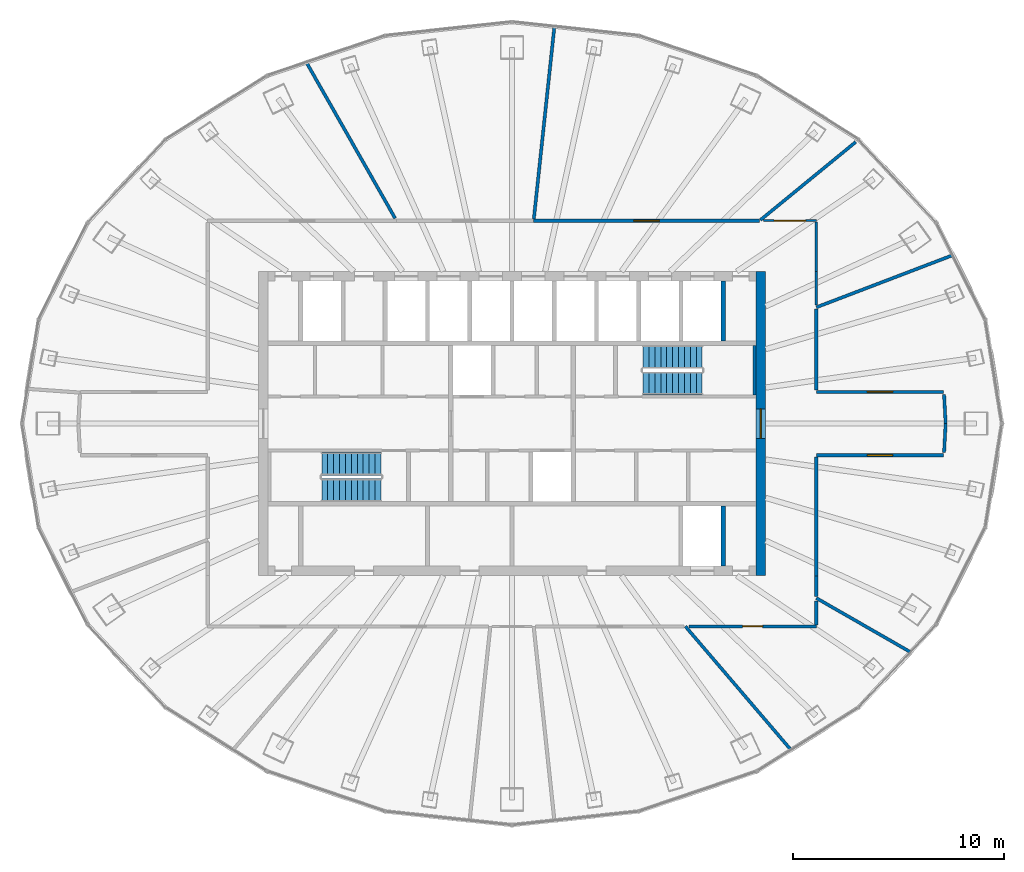
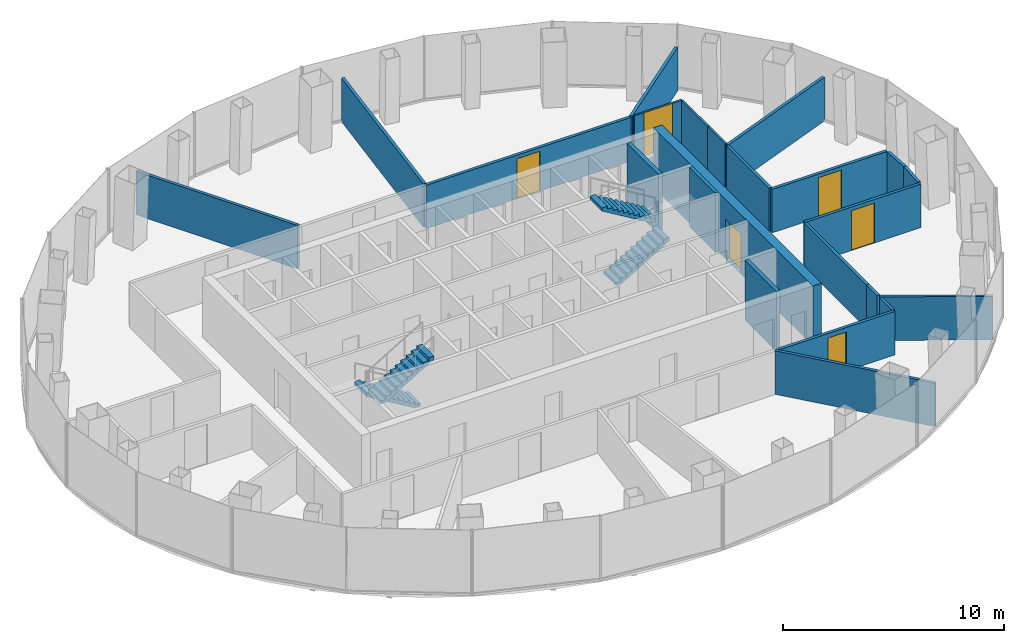
# One storey, part 10 of 11: 23 walls, 6 doors, 4 stair flights, 6 openings, 2 elements without a shape of their own.
"""IFC4 building model written with IfcOpenShell, lengths in metres."""

from ifc_helpers import new_model, si_unit, direction, frame, frame_2d, origin, place, context, subcontext, project, spatial, polyline, rectangle, outline, extrude, material, layer, layer_set, type_object, element, fill, aggregate, save


model = new_model("IFC4")

# Units and contexts
model_context = context("Model", 3, precision=1e-05, world=origin(), true_north=direction((0.0, 1.0)))
body_context = subcontext(model_context, "Body", "Model", "MODEL_VIEW")
ifc_project = project(units=[si_unit("LENGTHUNIT", "METRE"), si_unit("AREAUNIT", "SQUARE_METRE"), si_unit("VOLUMEUNIT", "CUBIC_METRE"), si_unit("PLANEANGLEUNIT", "RADIAN"), si_unit("MASSUNIT", "GRAM", prefix="KILO")], contexts=[model_context])

# Site, building, storey
site_placement = place(None, origin())
site = spatial("IfcSite", under=ifc_project, at=site_placement, CompositionType="ELEMENT")
building_placement = place(site_placement, origin())
building = spatial("IfcBuilding", under=site, at=building_placement, Name="Siaravel Broadcast Tower", CompositionType="ELEMENT")
storey_placement = place(building_placement, frame((0.0, 0.0, 186.699951171875)))
storey = spatial("IfcBuildingStorey", under=building, at=storey_placement, Name="L45", CompositionType="ELEMENT", Elevation=186.699951171875)

# Wall, opening, door
ifc_material_1 = material(Name="Concrete C60/75", Category="concrete")
ifc_layer_1 = layer(ifc_material_1, 0.449951171875)
ifc_layer_set_1 = layer_set([ifc_layer_1], Name="Concrete C60/75")
wall_type_1 = type_object("IfcWallType", Name="Core wall 450", PredefinedType="SHEAR", material=ifc_layer_set_1)
wall_1_placement = place(storey_placement, frame((11.77490234375, -7.199951171875, 0.0), z_axis=(0.0, 0.0, 1.0), x_axis=(0.0, 1.0, 0.0)))
wall_1 = element("IfcWall", 1, at=wall_1_placement, inside=storey, type_object=wall_type_1, Name="L45 core wall OE", PredefinedType="SHEAR", context=body_context, shape_type="SweptSolid", body=[
    extrude(rectangle(XDim=14.39990234375, YDim=0.449951171875, at=frame_2d((7.199951171875, 0.0))), origin(), (0.0, 0.0, 1.0), 3.300048828125),
])
opening_1_placement = place(wall_1_placement, frame((6.5, 0.0, 0.0)))
opening_1 = element("IfcOpeningElement", 2, at=opening_1_placement, cuts=wall_1, Name="Opening L45-DX-E", PredefinedType="OPENING", context=body_context, shape_type="SweptSolid", body=[
    extrude(rectangle(XDim=1.39990234375, YDim=2.199951171875, at=frame_2d((0.699951171875, 1.10009765625))), frame((0.0, 0.23486328125, 0.0), z_axis=(0.0, -1.0, 0.0), x_axis=(1.0, 0.0, 0.0)), (0.0, 0.0, 1.0), 0.469970703125),
])
ifc_material_2 = material(Name="Steel", Category="steel")
door_type_1 = type_object("IfcDoorType", Name="Core exit door 1400", OperationType="DOUBLE_DOOR_SINGLE_SWING", PredefinedType="DOOR", material=ifc_material_2)
door_1_placement = place(opening_1_placement, origin())
door_1 = element("IfcDoor", 3, at=door_1_placement, inside=storey, type_object=door_type_1, Name="L45 door DX-E", OperationType="DOUBLE_DOOR_SINGLE_SWING", OverallHeight=2.199951171875, OverallWidth=1.39990234375, PredefinedType="DOOR", context=body_context, shape_type="SweptSolid", body=[
    extrude(rectangle(XDim=1.39990234375, YDim=2.199951171875, at=frame_2d((0.699951171875, 1.10009765625))), frame((0.0, 0.02490234375, 0.0), z_axis=(0.0, -1.0, 0.0), x_axis=(1.0, 0.0, 0.0)), (0.0, 0.0, 1.0), 0.050048828125),
])
fill(opening_1, door_1)

ifc_material_3 = material(Name="Gypsum board partition", Category="gypsum")
ifc_layer_2 = layer(ifc_material_3, 0.14990234375)
ifc_layer_set_2 = layer_set([ifc_layer_2], Name="Gypsum board partition")
wall_type_2 = type_object("IfcWallType", Name="Corridor wall 150", PredefinedType="PARTITIONING", material=ifc_layer_set_2)
wall_2_placement = place(storey_placement, frame((11.719970703125, 9.60009765625, 0.0), z_axis=(0.0, 0.0, 1.0), x_axis=(-1.0, 0.0, 0.0)))
wall_2 = element("IfcWall", 4, at=wall_2_placement, inside=storey, type_object=wall_type_2, Name="L45 partition 1", PredefinedType="PARTITIONING", context=body_context, shape_type="SweptSolid", body=[
    extrude(rectangle(XDim=10.694580078125, YDim=0.14990234375, at=frame_2d((5.34716796875, 0.0))), origin(), (0.0, 0.0, 1.0), 2.400146484375),
])
opening_2_placement = place(wall_2_placement, frame((4.747314453125, 0.0, 0.0)))
opening_2 = element("IfcOpeningElement", 5, at=opening_2_placement, cuts=wall_2, Name="Opening L45-006", PredefinedType="OPENING", context=body_context, shape_type="SweptSolid", body=[
    extrude(rectangle(XDim=1.199951171875, YDim=2.199951171875, at=frame_2d((0.60009765625, 1.10009765625))), frame((0.0, 0.0849609375, 0.0), z_axis=(0.0, -1.0, 0.0), x_axis=(1.0, 0.0, 0.0)), (0.0, 0.0, 1.0), 0.169921875),
])
ifc_material_4 = material(Name="Timber veneer", Category="wood")
door_type_2 = type_object("IfcDoorType", Name="Office double door 1200", OperationType="DOUBLE_DOOR_SINGLE_SWING", PredefinedType="DOOR", material=ifc_material_4)
door_2_placement = place(opening_2_placement, origin())
door_2 = element("IfcDoor", 6, at=door_2_placement, inside=storey, type_object=door_type_2, Name="L45 door to Open plan office", OperationType="DOUBLE_DOOR_SINGLE_SWING", OverallHeight=2.199951171875, OverallWidth=1.199951171875, PredefinedType="DOOR", context=body_context, shape_type="SweptSolid", body=[
    extrude(rectangle(XDim=1.199951171875, YDim=2.199951171875, at=frame_2d((0.60009765625, 1.10009765625))), frame((0.0, 0.02490234375, 0.0), z_axis=(0.0, -1.0, 0.0), x_axis=(1.0, 0.0, 0.0)), (0.0, 0.0, 1.0), 0.050048828125),
])
fill(opening_2, door_2)

wall_3_placement = place(storey_placement, frame((8.37109375, -9.60009765625, 0.0), z_axis=(0.0, 0.0, 1.0), x_axis=(1.0, 0.0, 0.0)))
wall_3 = element("IfcWall", 7, at=wall_3_placement, inside=storey, type_object=wall_type_2, Name="L45 partition 14", PredefinedType="PARTITIONING", context=body_context, shape_type="SweptSolid", body=[
    extrude(rectangle(XDim=6.02880859375, YDim=0.14990234375, at=frame_2d((3.014404296875, 0.0))), origin(), (0.0, 0.0, 1.0), 2.400146484375),
])
opening_3_placement = place(wall_3_placement, frame((2.539306640625, 0.0, 0.0)))
opening_3 = element("IfcOpeningElement", 8, at=opening_3_placement, cuts=wall_3, Name="Opening L45-002", PredefinedType="OPENING", context=body_context, shape_type="SweptSolid", body=[
    extrude(rectangle(XDim=0.949951171875, YDim=2.14990234375, at=frame_2d((0.47509765625, 1.074951171875))), frame((0.0, 0.0849609375, 0.0), z_axis=(0.0, -1.0, 0.0), x_axis=(1.0, 0.0, 0.0)), (0.0, 0.0, 1.0), 0.169921875),
])
door_type_3 = type_object("IfcDoorType", Name="Office door 950", OperationType="SINGLE_SWING_LEFT", PredefinedType="DOOR", material=ifc_material_4)
door_3_placement = place(opening_3_placement, origin())
door_3 = element("IfcDoor", 9, at=door_3_placement, inside=storey, type_object=door_type_3, Name="L45 door to Office", OperationType="SINGLE_SWING_RIGHT", OverallHeight=2.14990234375, OverallWidth=0.949951171875, PredefinedType="DOOR", context=body_context, shape_type="SweptSolid", body=[
    extrude(rectangle(XDim=0.949951171875, YDim=2.14990234375, at=frame_2d((0.47509765625, 1.074951171875))), frame((0.0, 0.02490234375, 0.0), z_axis=(0.0, -1.0, 0.0), x_axis=(1.0, 0.0, 0.0)), (0.0, 0.0, 1.0), 0.050048828125),
])
fill(opening_3, door_3)

wall_4_placement = place(storey_placement, frame((14.39990234375, -1.5, 0.0), z_axis=(0.0, 0.0, 1.0), x_axis=(1.0, 0.0, 0.0)))
wall_4 = element("IfcWall", 10, at=wall_4_placement, inside=storey, type_object=wall_type_2, Name="L45 partition 17", PredefinedType="PARTITIONING", context=body_context, shape_type="SweptSolid", body=[
    extrude(rectangle(XDim=6.027587890625, YDim=0.14990234375, at=frame_2d((3.013671875, 0.0))), origin(), (0.0, 0.0, 1.0), 2.400146484375),
])
opening_4_placement = place(wall_4_placement, frame((2.413818359375, 0.0, 0.0)))
opening_4 = element("IfcOpeningElement", 11, at=opening_4_placement, cuts=wall_4, Name="Opening L45-003", PredefinedType="OPENING", context=body_context, shape_type="SweptSolid", body=[
    extrude(rectangle(XDim=1.199951171875, YDim=2.199951171875, at=frame_2d((0.60009765625, 1.10009765625))), frame((0.0, 0.0849609375, 0.0), z_axis=(0.0, -1.0, 0.0), x_axis=(1.0, 0.0, 0.0)), (0.0, 0.0, 1.0), 0.169921875),
])
door_4_placement = place(opening_4_placement, origin())
door_4 = element("IfcDoor", 12, at=door_4_placement, inside=storey, type_object=door_type_2, Name="L45 door to Open plan office", OperationType="DOUBLE_DOOR_SINGLE_SWING", OverallHeight=2.199951171875, OverallWidth=1.199951171875, PredefinedType="DOOR", context=body_context, shape_type="SweptSolid", body=[
    extrude(rectangle(XDim=1.199951171875, YDim=2.199951171875, at=frame_2d((0.60009765625, 1.10009765625))), frame((0.0, 0.02490234375, 0.0), z_axis=(0.0, -1.0, 0.0), x_axis=(1.0, 0.0, 0.0)), (0.0, 0.0, 1.0), 0.050048828125),
])
fill(opening_4, door_4)

wall_5_placement = place(storey_placement, frame((20.427490234375, 1.5, 0.0), z_axis=(0.0, 0.0, 1.0), x_axis=(-1.0, 0.0, 0.0)))
wall_5 = element("IfcWall", 13, at=wall_5_placement, inside=storey, type_object=wall_type_2, Name="L45 partition 18", PredefinedType="PARTITIONING", context=body_context, shape_type="SweptSolid", body=[
    extrude(rectangle(XDim=6.027587890625, YDim=0.14990234375, at=frame_2d((3.013671875, 0.0))), origin(), (0.0, 0.0, 1.0), 2.400146484375),
])
opening_5_placement = place(wall_5_placement, frame((2.413818359375, 0.0, 0.0)))
opening_5 = element("IfcOpeningElement", 14, at=opening_5_placement, cuts=wall_5, Name="Opening L45-004", PredefinedType="OPENING", context=body_context, shape_type="SweptSolid", body=[
    extrude(rectangle(XDim=1.199951171875, YDim=2.199951171875, at=frame_2d((0.60009765625, 1.10009765625))), frame((0.0, 0.0849609375, 0.0), z_axis=(0.0, -1.0, 0.0), x_axis=(1.0, 0.0, 0.0)), (0.0, 0.0, 1.0), 0.169921875),
])
door_5_placement = place(opening_5_placement, origin())
door_5 = element("IfcDoor", 15, at=door_5_placement, inside=storey, type_object=door_type_2, Name="L45 door to Open plan office", OperationType="DOUBLE_DOOR_SINGLE_SWING", OverallHeight=2.199951171875, OverallWidth=1.199951171875, PredefinedType="DOOR", context=body_context, shape_type="SweptSolid", body=[
    extrude(rectangle(XDim=1.199951171875, YDim=2.199951171875, at=frame_2d((0.60009765625, 1.10009765625))), frame((0.0, 0.02490234375, 0.0), z_axis=(0.0, -1.0, 0.0), x_axis=(1.0, 0.0, 0.0)), (0.0, 0.0, 1.0), 0.050048828125),
])
fill(opening_5, door_5)

# Walls
wall_6_placement = place(storey_placement, frame((14.39990234375, -7.2119140625, 0.0), z_axis=(0.0, 0.0, 1.0), x_axis=(0.0, 1.0, 0.0)))
element("IfcWall", 16, at=wall_6_placement, inside=storey, type_object=wall_type_2, Name="L45 partition 21", PredefinedType="PARTITIONING", context=body_context, shape_type="SweptSolid", body=[
    extrude(rectangle(XDim=5.635009765625, YDim=0.14990234375, at=frame_2d((2.8173828125, 0.0))), origin(), (0.0, 0.0, 1.0), 2.400146484375),
])
wall_7_placement = place(storey_placement, frame((14.39990234375, 1.576904296875, 0.0), z_axis=(0.0, 0.0, 1.0), x_axis=(0.0, 1.0, 0.0)))
element("IfcWall", 17, at=wall_7_placement, inside=storey, type_object=wall_type_2, Name="L45 partition 25", PredefinedType="PARTITIONING", context=body_context, shape_type="SweptSolid", body=[
    extrude(rectangle(XDim=3.851318359375, YDim=0.14990234375, at=frame_2d((1.92578125, 0.0))), origin(), (0.0, 0.0, 1.0), 2.400146484375),
])
wall_8_placement = place(storey_placement, frame((20.44775390625, -1.373779296875, 0.0), z_axis=(0.0, 0.0, 1.0), x_axis=(0.053238767, 0.998581811, 0.0)))
element("IfcWall", 18, at=wall_8_placement, inside=storey, type_object=wall_type_2, Name="L45 partition 36", PredefinedType="PARTITIONING", context=body_context, shape_type="SweptSolid", body=[
    extrude(rectangle(XDim=1.375732421875, YDim=0.14990234375, at=frame_2d((0.68798828125, 0.0))), origin(), (0.0, 0.0, 1.0), 2.400146484375),
])
wall_9_placement = place(storey_placement, frame((20.5205078125, 0.010009765625, 0.0), z_axis=(0.0, 0.0, 1.0), x_axis=(-0.053271904, 0.998580044, 0.0)))
element("IfcWall", 19, at=wall_9_placement, inside=storey, type_object=wall_type_2, Name="L45 partition 37", PredefinedType="PARTITIONING", context=body_context, shape_type="SweptSolid", body=[
    extrude(rectangle(XDim=1.36572265625, YDim=0.14990234375, at=frame_2d((0.682861328125, 0.0))), origin(), (0.0, 0.0, 1.0), 2.400146484375),
])
wall_10_placement = place(storey_placement, frame((14.39990234375, -9.52294921875, 0.0), z_axis=(0.0, 0.0, 1.0), x_axis=(0.0, 1.0, 0.0)))
element("IfcWall", 20, at=wall_10_placement, inside=storey, type_object=wall_type_2, Name="L45 partition 39", PredefinedType="PARTITIONING", context=body_context, shape_type="SweptSolid", body=[
    extrude(rectangle(XDim=1.132568359375, YDim=0.14990234375, at=frame_2d((0.56640625, 0.0))), origin(), (0.0, 0.0, 1.0), 2.400146484375),
])
wall_11_placement = place(storey_placement, frame((14.39990234375, -8.19189453125, 0.0), z_axis=(0.0, 0.0, 1.0), x_axis=(0.0, 1.0, 0.0)))
element("IfcWall", 21, at=wall_11_placement, inside=storey, type_object=wall_type_2, Name="L45 partition 40", PredefinedType="PARTITIONING", context=body_context, shape_type="SweptSolid", body=[
    extrude(rectangle(XDim=0.97900390625, YDim=0.14990234375, at=frame_2d((0.489501953125, 0.0))), origin(), (0.0, 0.0, 1.0), 2.400146484375),
])

# Wall, opening, door
ifc_material_5 = material(Name="Glazed aluminium partition", Category="aluminium")
ifc_layer_3 = layer(ifc_material_5, 0.10009765625)
ifc_layer_set_3 = layer_set([ifc_layer_3], Name="Glazed aluminium partition")
wall_type_3 = type_object("IfcWallType", Name="Glazed meeting room partition 100", PredefinedType="PARTITIONING", material=ifc_layer_set_3)
wall_12_placement = place(storey_placement, frame((14.39990234375, 9.60009765625, 0.0), z_axis=(0.0, 0.0, 1.0), x_axis=(-1.0, 0.0, 0.0)))
wall_12 = element("IfcWall", 22, at=wall_12_placement, inside=storey, type_object=wall_type_3, Name="L45 partition 26", PredefinedType="PARTITIONING", context=body_context, shape_type="SweptSolid", body=[
    extrude(rectangle(XDim=2.49853515625, YDim=0.10009765625, at=frame_2d((1.249267578125, 0.0))), origin(), (0.0, 0.0, 1.0), 2.400146484375),
])
opening_6_placement = place(wall_12_placement, frame((0.499267578125, 0.0, 0.0)))
opening_6 = element("IfcOpeningElement", 23, at=opening_6_placement, cuts=wall_12, Name="Opening L45-005", PredefinedType="OPENING", context=body_context, shape_type="SweptSolid", body=[
    extrude(rectangle(XDim=1.5, YDim=2.39990234375, at=frame_2d((0.75, 1.199951171875))), frame((0.0, 0.06005859375, 0.0), z_axis=(0.0, -1.0, 0.0), x_axis=(1.0, 0.0, 0.0)), (0.0, 0.0, 1.0), 0.1201171875),
])
door_type_4 = type_object("IfcDoorType", Name="Conference double door 1500", OperationType="DOUBLE_DOOR_SINGLE_SWING", PredefinedType="DOOR", material=ifc_material_4)
door_6_placement = place(opening_6_placement, origin())
door_6 = element("IfcDoor", 24, at=door_6_placement, inside=storey, type_object=door_type_4, Name="L45 door to Boardroom", OperationType="DOUBLE_DOOR_SINGLE_SWING", OverallHeight=2.39990234375, OverallWidth=1.5, PredefinedType="DOOR", context=body_context, shape_type="SweptSolid", body=[
    extrude(rectangle(XDim=1.5, YDim=2.39990234375, at=frame_2d((0.75, 1.199951171875))), frame((0.0, 0.02490234375, 0.0), z_axis=(0.0, -1.0, 0.0), x_axis=(1.0, 0.0, 0.0)), (0.0, 0.0, 1.0), 0.050048828125),
])
fill(opening_6, door_6)

# Walls
wall_13_placement = place(storey_placement, frame((14.39990234375, 7.18798828125, 0.0), z_axis=(0.0, 0.0, 1.0), x_axis=(0.0, 1.0, 0.0)))
element("IfcWall", 25, at=wall_13_placement, inside=storey, type_object=wall_type_3, Name="L45 partition 30", PredefinedType="PARTITIONING", context=body_context, shape_type="SweptSolid", body=[
    extrude(rectangle(XDim=2.360107421875, YDim=0.10009765625, at=frame_2d((1.18017578125, 0.0))), origin(), (0.0, 0.0, 1.0), 2.400146484375),
])
wall_14_placement = place(storey_placement, frame((14.39990234375, 5.6015625, 0.0), z_axis=(0.0, 0.0, 1.0), x_axis=(0.0, 1.0, 0.0)))
element("IfcWall", 26, at=wall_14_placement, inside=storey, type_object=wall_type_3, Name="L45 partition 34", PredefinedType="PARTITIONING", context=body_context, shape_type="SweptSolid", body=[
    extrude(rectangle(XDim=1.58544921875, YDim=0.10009765625, at=frame_2d((0.792724609375, 0.0))), origin(), (0.0, 0.0, 1.0), 2.400146484375),
])
ifc_layer_4 = layer(ifc_material_3, 0.14990234375)
ifc_layer_set_4 = layer_set([ifc_layer_4], Name="Gypsum board partition")
wall_type_4 = type_object("IfcWallType", Name="Room partition 150", PredefinedType="PARTITIONING", material=ifc_layer_set_4)
wall_15_placement = place(storey_placement, frame((2.00439453125, 18.76611328125, 0.0), z_axis=(0.0, 0.0, 1.0), x_axis=(-0.106208417, -0.99434389, 0.0)))
element("IfcWall", 27, at=wall_15_placement, inside=storey, type_object=wall_type_4, Name="L45 partition 4", PredefinedType="PARTITIONING", context=body_context, shape_type="SweptSolid", body=[
    extrude(rectangle(XDim=9.1328125, YDim=0.14990234375, at=frame_2d((4.56640625, 0.0))), origin(), (0.0, 0.0, 1.0), 2.400146484375),
])
wall_16_placement = place(storey_placement, frame((-9.7216796875, 17.076904296875, 0.0), z_axis=(0.0, 0.0, 1.0), x_axis=(0.494732537, -0.86904529, 0.0)))
element("IfcWall", 28, at=wall_16_placement, inside=storey, type_object=wall_type_4, Name="L45 partition 6", PredefinedType="PARTITIONING", context=body_context, shape_type="SweptSolid", body=[
    extrude(rectangle(XDim=8.47265625, YDim=0.14990234375, at=frame_2d((4.236328125, 0.0))), origin(), (0.0, 0.0, 1.0), 2.400146484375),
])
wall_17_placement = place(storey_placement, frame((13.195068359375, -15.435791015625, 0.0), z_axis=(0.0, 0.0, 1.0), x_axis=(-0.64979567, 0.760108931, 0.0)))
element("IfcWall", 29, at=wall_17_placement, inside=storey, type_object=wall_type_4, Name="L45 partition 7", PredefinedType="PARTITIONING", context=body_context, shape_type="SweptSolid", body=[
    extrude(rectangle(XDim=7.677490234375, YDim=0.14990234375, at=frame_2d((3.8388671875, 0.0))), origin(), (0.0, 0.0, 1.0), 2.400146484375),
])
wall_18_placement = place(storey_placement, frame((20.86181640625, 7.968505859375, 0.0), z_axis=(0.0, 0.0, 1.0), x_axis=(-0.934170905, -0.356825897, 0.0)))
element("IfcWall", 30, at=wall_18_placement, inside=storey, type_object=wall_type_4, Name="L45 partition 11", PredefinedType="PARTITIONING", context=body_context, shape_type="SweptSolid", body=[
    extrude(rectangle(XDim=6.917236328125, YDim=0.14990234375, at=frame_2d((3.45849609375, 0.0))), origin(), (0.0, 0.0, 1.0), 2.400146484375),
])
wall_19_placement = place(storey_placement, frame((16.27001953125, 13.3271484375, 0.0), z_axis=(0.0, 0.0, 1.0), x_axis=(-0.773587881, -0.633689033, 0.0)))
element("IfcWall", 31, at=wall_19_placement, inside=storey, type_object=wall_type_4, Name="L45 partition 19", PredefinedType="PARTITIONING", context=body_context, shape_type="SweptSolid", body=[
    extrude(rectangle(XDim=5.832275390625, YDim=0.14990234375, at=frame_2d((2.916015625, 0.0))), origin(), (0.0, 0.0, 1.0), 2.400146484375),
])
wall_20_placement = place(storey_placement, frame((18.853759765625, -10.8134765625, 0.0), z_axis=(0.0, 0.0, 1.0), x_axis=(-0.867454914, 0.497515801, 0.0)))
element("IfcWall", 32, at=wall_20_placement, inside=storey, type_object=wall_type_4, Name="L45 partition 23", PredefinedType="PARTITIONING", context=body_context, shape_type="SweptSolid", body=[
    extrude(rectangle(XDim=5.13427734375, YDim=0.14990234375, at=frame_2d((2.567138671875, 0.0))), origin(), (0.0, 0.0, 1.0), 2.400146484375),
])
ifc_layer_5 = layer(ifc_material_1, 0.14990234375)
ifc_layer_set_5 = layer_set([ifc_layer_5], Name="Concrete C60/75")
wall_type_5 = type_object("IfcWallType", Name="Shaft wall 150", PredefinedType="SHEAR", material=ifc_layer_set_5)
wall_21_placement = place(storey_placement, frame((11.47509765625, 1.35009765625, 0.0), z_axis=(0.0, 0.0, 1.0), x_axis=(0.0, 1.0, 0.0)))
element("IfcWall", 33, at=wall_21_placement, inside=storey, type_object=wall_type_5, Name="L45 core wall ST2E", PredefinedType="SHEAR", context=body_context, shape_type="SweptSolid", body=[
    extrude(rectangle(XDim=2.349853515625, YDim=0.14990234375, at=frame_2d((1.1748046875, 0.0))), origin(), (0.0, 0.0, 1.0), 3.300048828125),
])
ifc_layer_6 = layer(ifc_material_1, 0.199951171875)
ifc_layer_set_6 = layer_set([ifc_layer_6], Name="Concrete C60/75")
wall_type_6 = type_object("IfcWallType", Name="Shaft wall 200", PredefinedType="SHEAR", material=ifc_layer_set_6)
for number, where, z_axis, x_axis, name in (
    (34, (10.0, -6.75, 0.0), (0.0, 0.0, 1.0), (0.0, 1.0, 0.0), "L45 core wall SWS10"),
    (35, (10.0, 3.89990234375, 0.0), (0.0, 0.0, 1.0), (0.0, 1.0, 0.0), "L45 core wall SWN10"),
):
    element("IfcWall", number, at=place(storey_placement, frame(where, z_axis=z_axis, x_axis=x_axis)), inside=storey, type_object=wall_type_6, Name=name, PredefinedType="SHEAR", context=body_context, shape_type="SweptSolid", body=[
        extrude(rectangle(XDim=2.85009765625, YDim=0.199951171875, at=frame_2d((1.425048828125, 0.0))), origin(), (0.0, 0.0, 1.0), 3.300048828125),
    ])

# Stair, stair flights
ifc_material_6 = material(Name="Concrete C40/50", Category="concrete")
stair_type = type_object("IfcStairType", Name="Core exit stair", PredefinedType="HALF_TURN_STAIR", material=ifc_material_6)
stair_1_placement = place(storey_placement, origin())
stair_1 = element("IfcStair", 36, at=stair_1_placement, inside=storey, type_object=stair_type, Name="L45 Exit stair ST-1", PredefinedType="HALF_TURN_STAIR")
stair_flight_type = type_object("IfcStairFlightType", Name="Stair flight 1100", PredefinedType="STRAIGHT", material=ifc_material_6)
stair_flight_1_placement = place(storey_placement, frame((-6.199951171875, -1.89990234375, 0.0), z_axis=(0.0, 0.0, 1.0), x_axis=(-1.0, 0.0, 0.0)))
stair_flight_1 = element("IfcStairFlight", 37, at=stair_flight_1_placement, type_object=stair_flight_type, Name="ST-1 flight 1", NumberOfRisers=11, NumberOfTreads=10, PredefinedType="STRAIGHT", RiserHeight=0.1681818, TreadLength=0.28, context=body_context, shape_type="SweptSolid", body=[
    extrude(outline(polyline([(0.0, 0.0), (0.0, 0.168212890625), (0.280029296875, 0.168212890625), (0.280029296875, 0.33642578125), (0.56005859375, 0.33642578125), (0.56005859375, 0.504638671875), (0.840087890625, 0.504638671875), (0.840087890625, 0.672607421875), (1.1201171875, 0.672607421875), (1.1201171875, 0.8408203125), (1.39990234375, 0.8408203125), (1.39990234375, 1.009033203125), (1.679931640625, 1.009033203125), (1.679931640625, 1.17724609375), (1.9599609375, 1.17724609375), (1.9599609375, 1.345458984375), (2.239990234375, 1.345458984375), (2.239990234375, 1.513671875), (2.52001953125, 1.513671875), (2.52001953125, 1.681884765625), (2.800048828125, 1.681884765625), (2.800048828125, 1.85009765625), (2.800048828125, 1.5068359375), (0.291015625, 0.0), (0.0, 0.0)])), frame((0.0, 0.550048828125, 0.0), z_axis=(0.0, -1.0, 0.0), x_axis=(1.0, 0.0, 0.0)), (0.0, 0.0, 1.0), 1.10009765625),
])
stair_flight_2_placement = place(storey_placement, frame((-9.0, -3.14990234375, 1.85009765625), z_axis=(0.0, 0.0, 1.0), x_axis=(1.0, 0.0, 0.0)))
stair_flight_2 = element("IfcStairFlight", 38, at=stair_flight_2_placement, type_object=stair_flight_type, Name="ST-1 flight 2", NumberOfRisers=11, NumberOfTreads=10, PredefinedType="STRAIGHT", RiserHeight=0.1681818, TreadLength=0.28, context=body_context, shape_type="SweptSolid", body=[
    extrude(outline(polyline([(0.0, 0.0), (0.0, 0.168212890625), (0.280029296875, 0.168212890625), (0.280029296875, 0.33642578125), (0.56005859375, 0.33642578125), (0.56005859375, 0.504638671875), (0.840087890625, 0.504638671875), (0.840087890625, 0.672607421875), (1.1201171875, 0.672607421875), (1.1201171875, 0.8408203125), (1.39990234375, 0.8408203125), (1.39990234375, 1.009033203125), (1.679931640625, 1.009033203125), (1.679931640625, 1.17724609375), (1.9599609375, 1.17724609375), (1.9599609375, 1.345458984375), (2.239990234375, 1.345458984375), (2.239990234375, 1.513671875), (2.52001953125, 1.513671875), (2.52001953125, 1.681884765625), (2.800048828125, 1.681884765625), (2.800048828125, 1.85009765625), (2.800048828125, 1.5068359375), (0.291015625, 0.0), (0.0, 0.0)])), frame((0.0, 0.550048828125, 0.0), z_axis=(0.0, -1.0, 0.0), x_axis=(1.0, 0.0, 0.0)), (0.0, 0.0, 1.0), 1.10009765625),
])
aggregate(stair_1, [stair_flight_1, stair_flight_2])

stair_2_placement = place(storey_placement, origin())
stair_2 = element("IfcStair", 39, at=stair_2_placement, inside=storey, type_object=stair_type, Name="L45 Exit stair ST-2", PredefinedType="HALF_TURN_STAIR")
stair_flight_3_placement = place(storey_placement, frame((6.199951171875, 1.89990234375, 0.0), z_axis=(0.0, 0.0, 1.0), x_axis=(1.0, 0.0, 0.0)))
stair_flight_3 = element("IfcStairFlight", 40, at=stair_flight_3_placement, type_object=stair_flight_type, Name="ST-2 flight 1", NumberOfRisers=11, NumberOfTreads=10, PredefinedType="STRAIGHT", RiserHeight=0.1681818, TreadLength=0.28, context=body_context, shape_type="SweptSolid", body=[
    extrude(outline(polyline([(0.0, 0.0), (0.0, 0.168212890625), (0.280029296875, 0.168212890625), (0.280029296875, 0.33642578125), (0.56005859375, 0.33642578125), (0.56005859375, 0.504638671875), (0.840087890625, 0.504638671875), (0.840087890625, 0.672607421875), (1.1201171875, 0.672607421875), (1.1201171875, 0.8408203125), (1.39990234375, 0.8408203125), (1.39990234375, 1.009033203125), (1.679931640625, 1.009033203125), (1.679931640625, 1.17724609375), (1.9599609375, 1.17724609375), (1.9599609375, 1.345458984375), (2.239990234375, 1.345458984375), (2.239990234375, 1.513671875), (2.52001953125, 1.513671875), (2.52001953125, 1.681884765625), (2.800048828125, 1.681884765625), (2.800048828125, 1.85009765625), (2.800048828125, 1.5068359375), (0.291015625, 0.0), (0.0, 0.0)])), frame((0.0, 0.550048828125, 0.0), z_axis=(0.0, -1.0, 0.0), x_axis=(1.0, 0.0, 0.0)), (0.0, 0.0, 1.0), 1.10009765625),
])
stair_flight_4_placement = place(storey_placement, frame((9.0, 3.14990234375, 1.85009765625), z_axis=(0.0, 0.0, 1.0), x_axis=(-1.0, 0.0, 0.0)))
stair_flight_4 = element("IfcStairFlight", 41, at=stair_flight_4_placement, type_object=stair_flight_type, Name="ST-2 flight 2", NumberOfRisers=11, NumberOfTreads=10, PredefinedType="STRAIGHT", RiserHeight=0.1681818, TreadLength=0.28, context=body_context, shape_type="SweptSolid", body=[
    extrude(outline(polyline([(0.0, 0.0), (0.0, 0.168212890625), (0.280029296875, 0.168212890625), (0.280029296875, 0.33642578125), (0.56005859375, 0.33642578125), (0.56005859375, 0.504638671875), (0.840087890625, 0.504638671875), (0.840087890625, 0.672607421875), (1.1201171875, 0.672607421875), (1.1201171875, 0.8408203125), (1.39990234375, 0.8408203125), (1.39990234375, 1.009033203125), (1.679931640625, 1.009033203125), (1.679931640625, 1.17724609375), (1.9599609375, 1.17724609375), (1.9599609375, 1.345458984375), (2.239990234375, 1.345458984375), (2.239990234375, 1.513671875), (2.52001953125, 1.513671875), (2.52001953125, 1.681884765625), (2.800048828125, 1.681884765625), (2.800048828125, 1.85009765625), (2.800048828125, 1.5068359375), (0.291015625, 0.0), (0.0, 0.0)])), frame((0.0, 0.550048828125, 0.0), z_axis=(0.0, -1.0, 0.0), x_axis=(1.0, 0.0, 0.0)), (0.0, 0.0, 1.0), 1.10009765625),
])
aggregate(stair_2, [stair_flight_3, stair_flight_4])

save(model, "model.ifc")
